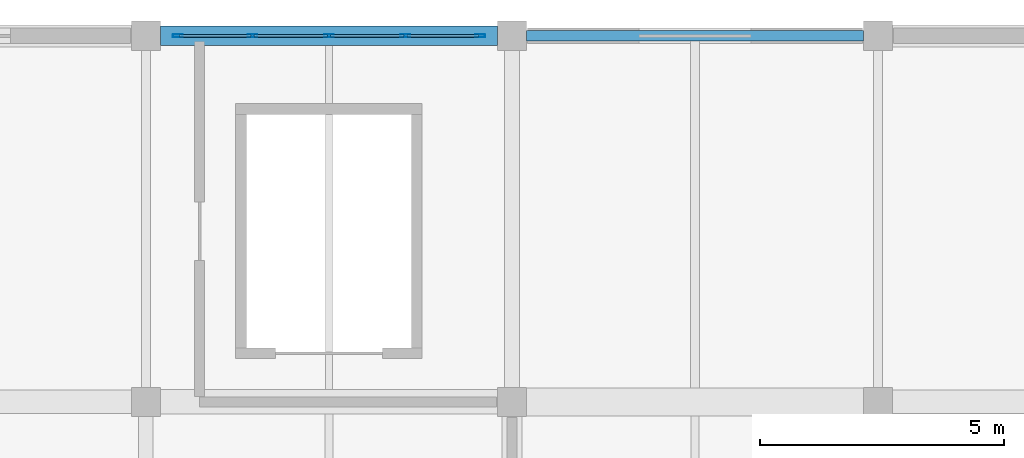
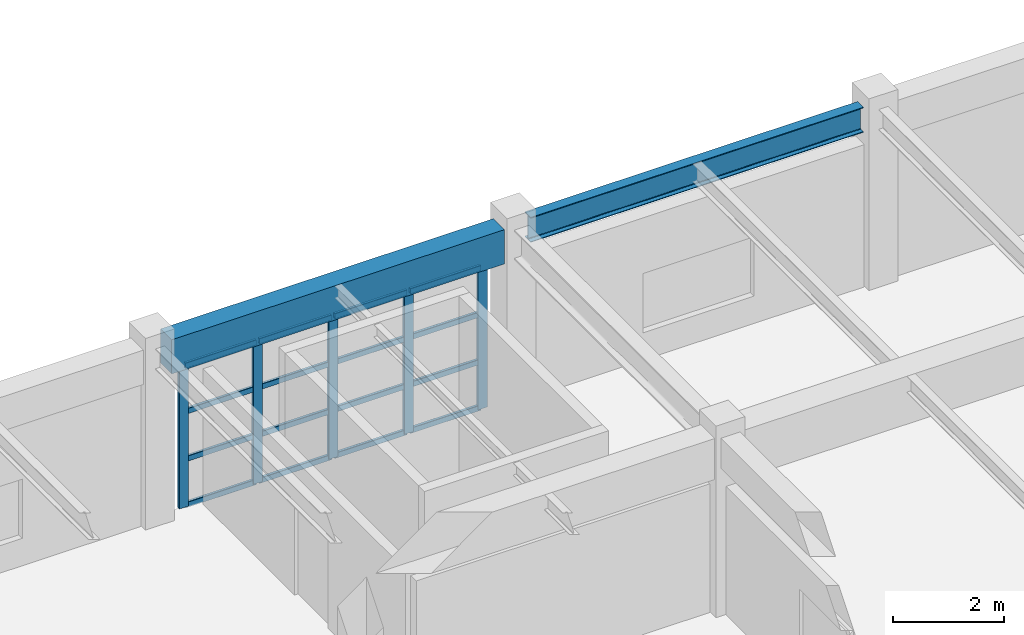
# One storey, part 73 of 124: 21 members, 2 beams, 1 element without a shape of its own.
"""IFC4 building model written with IfcOpenShell, lengths in metres."""

import ifcopenshell
import ifcopenshell.guid

model = None  # the IFC model being written
_history = None  # IfcOwnerHistory: only IFC2X3 demands one
_inside = {}  # id of a spatial element -> (the spatial element, [elements in it])
_under = {}  # id of a project, library or spatial element -> (it, [spatial elements below it])
_declared = {}  # id of a project -> (the project, [libraries it declares])
_typed = {}  # id of a type object -> (the type object, [elements of that type])
_made_of = {}  # id of a material, layer set ... -> (it, [elements and type objects made of it])


def new_model(schema):
    """Start an empty IFC model of exactly this schema.

    Asked for "IFC4X3", IfcOpenShell would pick the latest addendum, in which some entities
    have other attributes; the version numbers below select the first issue.
    IFC2X3 requires an IfcOwnerHistory on every rooted entity: one is made here for all.
    """
    global model, _history
    if schema == "IFC4X3":
        model = ifcopenshell.file(schema_version=(4, 3, 0, 0))
    else:
        model = ifcopenshell.file(schema=schema)
    _inside.clear()
    _under.clear()
    _declared.clear()
    _typed.clear()
    _made_of.clear()
    _history = None
    if model.schema == "IFC2X3":
        org = make("IfcOrganization", Name="unknown")
        user = make(
            "IfcPersonAndOrganization",
            ThePerson=make("IfcPerson", FamilyName="unknown"),
            TheOrganization=org,
        )
        app = make(
            "IfcApplication",
            ApplicationDeveloper=org,
            Version="unknown",
            ApplicationFullName="unknown",
            ApplicationIdentifier="unknown",
        )
        _history = make(
            "IfcOwnerHistory",
            OwningUser=user,
            OwningApplication=app,
            ChangeAction="ADDED",
            CreationDate=0,
        )
    return model


def make(cls, **values):
    """One entity of the class cls with the attributes given. An attribute that is None is left unset."""
    return model.create_entity(
        cls, **{name: value for name, value in values.items() if value is not None}
    )


def rooted(cls, **values):
    """An entity with a GlobalId (a new one), such as an element, a storey or a relation."""
    return make(cls, GlobalId=ifcopenshell.guid.new(), OwnerHistory=_history, **values)


def si_unit(unit_type, name, prefix=None):
    """IfcSIUnit, for example si_unit("LENGTHUNIT", "METRE", prefix="MILLI")."""
    return make("IfcSIUnit", UnitType=unit_type, Prefix=prefix, Name=name)


def assignment(units):
    """IfcUnitAssignment: the units of a project."""
    return None if units is None else make("IfcUnitAssignment", Units=units)


def point(xyz):
    """IfcCartesianPoint."""
    return None if xyz is None else make("IfcCartesianPoint", Coordinates=xyz)


def direction(xyz):
    """IfcDirection."""
    return None if xyz is None else make("IfcDirection", DirectionRatios=xyz)


def frame(location, z_axis=None, x_axis=None):
    """IfcAxis2Placement3D, a coordinate frame: its origin and axes. An axis left out is left unset."""
    return make(
        "IfcAxis2Placement3D",
        Location=point(location),
        Axis=direction(z_axis),
        RefDirection=direction(x_axis),
    )


def frame_2d(location, x_axis=None):
    """IfcAxis2Placement2D, a coordinate frame in the plane: its origin and x axis."""
    return make(
        "IfcAxis2Placement2D", Location=point(location), RefDirection=direction(x_axis)
    )


def origin():
    """The frame at (0, 0, 0) with its axes left unset."""
    return frame((0.0, 0.0, 0.0))


def origin_2d():
    """The frame at (0, 0) in the plane with its x axis left unset."""
    return frame_2d((0.0, 0.0))


def place(relative_to, where):
    """IfcLocalPlacement: puts the frame where relative to a parent placement (None: the world)."""
    return make(
        "IfcLocalPlacement", PlacementRelTo=relative_to, RelativePlacement=where
    )


def context(
    kind, dimensions, precision=None, world=None, true_north=None, identifier=None
):
    """IfcGeometricRepresentationContext, for example the 3D "Model" context."""
    return make(
        "IfcGeometricRepresentationContext",
        ContextIdentifier=identifier,
        ContextType=kind,
        CoordinateSpaceDimension=dimensions,
        Precision=precision,
        WorldCoordinateSystem=world,
        TrueNorth=true_north,
    )


def subcontext(parent, identifier, kind, view, scale=None):
    """IfcGeometricRepresentationSubContext, for example "Body" below "Model"."""
    return make(
        "IfcGeometricRepresentationSubContext",
        ContextIdentifier=identifier,
        ContextType=kind,
        ParentContext=parent,
        TargetScale=scale,
        TargetView=view,
    )


def project(units=None, contexts=None):
    """IfcProject with its units and contexts."""
    return rooted(
        "IfcProject",
        Name="project",
        RepresentationContexts=contexts,
        UnitsInContext=assignment(units),
    )


def spatial(cls, under=None, at=None, **own):
    """A site, building, storey or space (cls), placed at a placement, below another one or the project."""
    s = rooted(cls, ObjectPlacement=at, **own)
    if under is not None:
        _under.setdefault(under.id(), (under, []))[1].append(s)
    return s


def profile(cls, at=None, kind="AREA", **sizes):
    """A parametric profile (cls). Its sizes go by their IFC names, for example OverallWidth=200.0."""
    return make(cls, ProfileType=kind, Position=at, **sizes)


def rectangle(**sizes):
    """IfcRectangleProfileDef."""
    return profile("IfcRectangleProfileDef", **sizes)


def hollow_rectangle(**sizes):
    """IfcRectangleHollowProfileDef."""
    return profile("IfcRectangleHollowProfileDef", **sizes)


def i_section(**sizes):
    """IfcIShapeProfileDef."""
    return profile("IfcIShapeProfileDef", **sizes)


def extrude(swept, where, along, depth):
    """IfcExtrudedAreaSolid: the profile swept, set in the frame where, extruded along a direction by depth."""
    return make(
        "IfcExtrudedAreaSolid",
        SweptArea=swept,
        Position=where,
        ExtrudedDirection=direction(along),
        Depth=depth,
    )


def shape(context_of_items, identifier, shape_type, items):
    """IfcShapeRepresentation: the items that make up one representation, for example the "Body"."""
    return make(
        "IfcShapeRepresentation",
        ContextOfItems=context_of_items,
        RepresentationIdentifier=identifier,
        RepresentationType=shape_type,
        Items=items,
    )


def material(Name=None, Category=None):
    """IfcMaterial."""
    return make("IfcMaterial", Name=Name, Category=Category)


def material_profile(
    of_material, cross_section, Name=None, Category=None, Priority=None
):
    """IfcMaterialProfile: a cross section and its material."""
    return make(
        "IfcMaterialProfile",
        Name=Name,
        Material=of_material,
        Profile=cross_section,
        Priority=Priority,
        Category=Category,
    )


def profile_set(profiles, Name=None, composite=None):
    """IfcMaterialProfileSet."""
    return make(
        "IfcMaterialProfileSet",
        Name=Name,
        MaterialProfiles=profiles,
        CompositeProfile=composite,
    )


def made_of(thing, what):
    """Note that an element or type object is made of a material, layer set ...; save() writes the relation."""
    if what is not None:
        _made_of.setdefault(what.id(), (what, []))[1].append(thing)
    return thing


def type_object(cls, material=None, **own):
    """A type object (cls), such as IfcWallType, which elements share."""
    return made_of(rooted(cls, **own), material)


def element(
    cls,
    number,
    at=None,
    inside=None,
    cuts=None,
    type_object=None,
    material=None,
    context=None,
    identifier="Body",
    shape_type=None,
    held_by="IfcProductDefinitionShape",
    body=None,
    shapes=None,
    **own,
):
    """One element of the class cls, such as IfcWall. Its Tag is "e" and its number.

    at: its placement. inside: the storey or other place that contains it. cuts: it is an
    opening in that element (IfcRelVoidsElement). A single representation is given by context,
    identifier, shape_type and body (its items); several are given by shapes. held_by: the class
    of the entity that holds the representations. save() writes the other relations.
    """
    e = rooted(cls, Tag="e%d" % number, ObjectPlacement=at, **own)
    if body is not None:
        shapes = [shape(context, identifier, shape_type, body)]
    if shapes is not None:
        e.Representation = make(held_by, Representations=shapes)
    if inside is not None:
        _inside.setdefault(inside.id(), (inside, []))[1].append(e)
    if cuts is not None:
        rooted(
            "IfcRelVoidsElement", RelatingBuildingElement=cuts, RelatedOpeningElement=e
        )
    if type_object is not None:
        _typed.setdefault(type_object.id(), (type_object, []))[1].append(e)
    return made_of(e, material)


def aggregate(whole, parts):
    """IfcRelAggregates: a whole, such as a stair, and the parts it consists of."""
    return rooted("IfcRelAggregates", RelatingObject=whole, RelatedObjects=parts)


def save(model, path):
    """Write the relations noted so far, then the file.

    IfcRelAggregates (storeys below a building ...), IfcRelContainedInSpatialStructure (elements
    in a storey), IfcRelDefinesByType, IfcRelAssociatesMaterial and IfcRelDeclares: one each for
    every whole, place, type object, material and project.
    """
    for whole, parts in _under.values():
        aggregate(whole, parts)
    for where, things in _inside.values():
        rooted(
            "IfcRelContainedInSpatialStructure",
            RelatedElements=things,
            RelatingStructure=where,
        )
    for kind, things in _typed.values():
        rooted("IfcRelDefinesByType", RelatedObjects=things, RelatingType=kind)
    for what, things in _made_of.values():
        rooted("IfcRelAssociatesMaterial", RelatedObjects=things, RelatingMaterial=what)
    for by, libraries in _declared.values():
        rooted("IfcRelDeclares", RelatingContext=by, RelatedDefinitions=libraries)
    model.write(path)


model = new_model("IFC4")

# Units and contexts
model_context = context("Model", 3, precision=1e-05, world=origin(), true_north=direction((0.0, 1.0)))
body_context = subcontext(model_context, "Body", "Model", "MODEL_VIEW")
ifc_project = project(units=[si_unit("LENGTHUNIT", "METRE"), si_unit("AREAUNIT", "SQUARE_METRE"), si_unit("VOLUMEUNIT", "CUBIC_METRE"), si_unit("PLANEANGLEUNIT", "RADIAN"), si_unit("MASSUNIT", "GRAM", prefix="KILO")], contexts=[model_context])

# Site, building, storey
site_placement = place(None, origin())
site = spatial("IfcSite", under=ifc_project, at=site_placement, CompositionType="ELEMENT")
building_placement = place(site_placement, origin())
building = spatial("IfcBuilding", under=site, at=building_placement, Name="Qasida Concert Hall", CompositionType="ELEMENT")
storey_placement = place(building_placement, frame((0.0, 0.0, 9.0)))
storey = spatial("IfcBuildingStorey", under=building, at=storey_placement, Name="L02", CompositionType="ELEMENT", Elevation=9.0)

# Beams
ifc_material_1 = material(Name="Concrete C40/50", Category="concrete")
ifc_material_profile_1 = material_profile(ifc_material_1, rectangle(XDim=0.39990234375, YDim=0.75, at=origin_2d()), Name="RC 400x750")
ifc_profile_set_1 = profile_set([ifc_material_profile_1], Name="Concrete C40/50")
beam_type_1 = type_object("IfcBeamType", Name="BM-SP1", PredefinedType="SPANDREL", material=ifc_profile_set_1)
beam_1_placement = place(storey_placement, frame((142.800048828125, 112.5, 3.52490234375), z_axis=(1.0, 0.0, 0.0), x_axis=(0.0, 1.0, 0.0)))
element("IfcBeam", 1, at=beam_1_placement, inside=storey, type_object=beam_type_1, Name="Primary girder 1380", PredefinedType="SPANDREL", context=body_context, shape_type="SweptSolid", body=[
    extrude(rectangle(XDim=0.39990234375, YDim=0.75, at=origin_2d()), origin(), (0.0, 0.0, 1.0), 6.89990234375),
])
ifc_material_2 = material(Name="Steel S355J2", Category="steel")
ifc_material_profile_2 = material_profile(ifc_material_2, i_section(OverallWidth=0.2099609375, OverallDepth=0.550048828125, WebThickness=0.010986328125, FlangeThickness=0.01708984375, FilletRadius=0.02392578125, at=origin_2d()), Name="IPE 550")
ifc_profile_set_2 = profile_set([ifc_material_profile_2], Name="Steel S355J2")
beam_type_2 = type_object("IfcBeamType", Name="BM-SP2", PredefinedType="SPANDREL", material=ifc_profile_set_2)
beam_2_placement = place(storey_placement, frame((150.300048828125, 112.5, 3.625), z_axis=(1.0, 0.0, 0.0), x_axis=(0.0, 1.0, 0.0)))
element("IfcBeam", 2, at=beam_2_placement, inside=storey, type_object=beam_type_2, Name="Primary girder 1381", PredefinedType="SPANDREL", context=body_context, shape_type="SweptSolid", body=[
    extrude(i_section(OverallWidth=0.2099609375, OverallDepth=0.550048828125, WebThickness=0.010986328125, FlangeThickness=0.01708984375, FilletRadius=0.02392578125, at=origin_2d()), origin(), (0.0, 0.0, 1.0), 6.89990234375),
])

# Curtain wall, members
ifc_material_3 = material(Name="Architectural bronze-anodized aluminium and low-E glass", Category="aluminium")
curtain_wall_type = type_object("IfcCurtainWallType", Name="CW-04", PredefinedType="NOTDEFINED", material=ifc_material_3)
curtain_wall_placement = place(storey_placement, origin())
curtain_wall = element("IfcCurtainWall", 3, at=curtain_wall_placement, inside=storey, type_object=curtain_wall_type, Name="L02 curtain wall CW-04 0172", PredefinedType="NOTDEFINED")
ifc_material_4 = material(Name="Architectural bronze-anodized aluminium EN AW-6063", Category="aluminium")
ifc_material_profile_3 = material_profile(ifc_material_4, hollow_rectangle(XDim=0.06494140625, YDim=0.199951171875, WallThickness=0.0048828125, InnerFilletRadius=0.0048828125, OuterFilletRadius=0.010009765625, at=origin_2d()), Name="CWM 200x65x5")
ifc_profile_set_3 = profile_set([ifc_material_profile_3], Name="Architectural bronze-anodized aluminium EN AW-6063")
member_type_1 = type_object("IfcMemberType", Name="MB-CWM-2", PredefinedType="MULLION", material=ifc_profile_set_3)
member_1_placement = place(storey_placement, frame((143.152587890625, 112.5, 0.0), z_axis=(0.0, 0.0, 1.0), x_axis=(0.0, 1.0, 0.0)))
member_1 = element("IfcMember", 4, at=member_1_placement, type_object=member_type_1, Name="CW-04 mullion 1", PredefinedType="MULLION", context=body_context, shape_type="SweptSolid", body=[
    extrude(hollow_rectangle(XDim=0.06494140625, YDim=0.199951171875, WallThickness=0.0048828125, InnerFilletRadius=0.0048828125, OuterFilletRadius=0.010009765625, at=origin_2d()), origin(), (0.0, 0.0, 1.0), 3.1201171875),
])
member_2_placement = place(storey_placement, frame((144.68505859375, 112.5, 0.0), z_axis=(0.0, 0.0, 1.0), x_axis=(0.0, 1.0, 0.0)))
member_2 = element("IfcMember", 5, at=member_2_placement, type_object=member_type_1, Name="CW-04 mullion 2", PredefinedType="MULLION", context=body_context, shape_type="SweptSolid", body=[
    extrude(hollow_rectangle(XDim=0.06494140625, YDim=0.199951171875, WallThickness=0.0048828125, InnerFilletRadius=0.0048828125, OuterFilletRadius=0.010009765625, at=origin_2d()), origin(), (0.0, 0.0, 1.0), 3.1201171875),
])
member_3_placement = place(storey_placement, frame((146.25, 112.5, 0.0), z_axis=(0.0, 0.0, 1.0), x_axis=(0.0, 1.0, 0.0)))
member_3 = element("IfcMember", 6, at=member_3_placement, type_object=member_type_1, Name="CW-04 mullion 3", PredefinedType="MULLION", context=body_context, shape_type="SweptSolid", body=[
    extrude(hollow_rectangle(XDim=0.06494140625, YDim=0.199951171875, WallThickness=0.0048828125, InnerFilletRadius=0.0048828125, OuterFilletRadius=0.010009765625, at=origin_2d()), origin(), (0.0, 0.0, 1.0), 3.1201171875),
])
member_4_placement = place(storey_placement, frame((147.81494140625, 112.5, 0.0), z_axis=(0.0, 0.0, 1.0), x_axis=(0.0, 1.0, 0.0)))
member_4 = element("IfcMember", 7, at=member_4_placement, type_object=member_type_1, Name="CW-04 mullion 4", PredefinedType="MULLION", context=body_context, shape_type="SweptSolid", body=[
    extrude(hollow_rectangle(XDim=0.06494140625, YDim=0.199951171875, WallThickness=0.0048828125, InnerFilletRadius=0.0048828125, OuterFilletRadius=0.010009765625, at=origin_2d()), origin(), (0.0, 0.0, 1.0), 3.1201171875),
])
member_5_placement = place(storey_placement, frame((149.347412109375, 112.5, 0.0), z_axis=(0.0, 0.0, 1.0), x_axis=(0.0, 1.0, 0.0)))
member_5 = element("IfcMember", 8, at=member_5_placement, type_object=member_type_1, Name="CW-04 mullion 5", PredefinedType="MULLION", context=body_context, shape_type="SweptSolid", body=[
    extrude(hollow_rectangle(XDim=0.06494140625, YDim=0.199951171875, WallThickness=0.0048828125, InnerFilletRadius=0.0048828125, OuterFilletRadius=0.010009765625, at=origin_2d()), origin(), (0.0, 0.0, 1.0), 3.1201171875),
])
ifc_material_profile_4 = material_profile(ifc_material_4, hollow_rectangle(XDim=0.06005859375, YDim=0.1201171875, WallThickness=0.00390625, InnerFilletRadius=0.00390625, OuterFilletRadius=0.008056640625, at=origin_2d()), Name="CWT 120x60x4")
ifc_profile_set_4 = profile_set([ifc_material_profile_4], Name="Architectural bronze-anodized aluminium EN AW-6063")
member_type_2 = type_object("IfcMemberType", Name="MB-CWT-2", PredefinedType="USERDEFINED", material=ifc_profile_set_4)
member_6_placement = place(storey_placement, frame((143.18505859375, 112.5, 0.030029296875), z_axis=(1.0, 0.0, 0.0), x_axis=(0.0, 1.0, 0.0)))
member_6 = element("IfcMember", 9, at=member_6_placement, type_object=member_type_2, Name="CW-04 transom 1.1", ObjectType="TRANSOM", PredefinedType="USERDEFINED", context=body_context, shape_type="SweptSolid", body=[
    extrude(hollow_rectangle(XDim=0.06005859375, YDim=0.1201171875, WallThickness=0.00390625, InnerFilletRadius=0.00390625, OuterFilletRadius=0.008056640625, at=origin_2d()), origin(), (0.0, 0.0, 1.0), 1.467529296875),
])
member_7_placement = place(storey_placement, frame((143.18505859375, 112.5, 1.0400390625), z_axis=(1.0, 0.0, 0.0), x_axis=(0.0, 1.0, 0.0)))
member_7 = element("IfcMember", 10, at=member_7_placement, type_object=member_type_2, Name="CW-04 transom 1.2", ObjectType="TRANSOM", PredefinedType="USERDEFINED", context=body_context, shape_type="SweptSolid", body=[
    extrude(hollow_rectangle(XDim=0.06005859375, YDim=0.1201171875, WallThickness=0.00390625, InnerFilletRadius=0.00390625, OuterFilletRadius=0.008056640625, at=origin_2d()), origin(), (0.0, 0.0, 1.0), 1.467529296875),
])
member_8_placement = place(storey_placement, frame((143.18505859375, 112.5, 2.080078125), z_axis=(1.0, 0.0, 0.0), x_axis=(0.0, 1.0, 0.0)))
member_8 = element("IfcMember", 11, at=member_8_placement, type_object=member_type_2, Name="CW-04 transom 1.3", ObjectType="TRANSOM", PredefinedType="USERDEFINED", context=body_context, shape_type="SweptSolid", body=[
    extrude(hollow_rectangle(XDim=0.06005859375, YDim=0.1201171875, WallThickness=0.00390625, InnerFilletRadius=0.00390625, OuterFilletRadius=0.008056640625, at=origin_2d()), origin(), (0.0, 0.0, 1.0), 1.467529296875),
])
member_9_placement = place(storey_placement, frame((143.18505859375, 112.5, 3.090087890625), z_axis=(1.0, 0.0, 0.0), x_axis=(0.0, 1.0, 0.0)))
member_9 = element("IfcMember", 12, at=member_9_placement, type_object=member_type_2, Name="CW-04 transom 1.4", ObjectType="TRANSOM", PredefinedType="USERDEFINED", context=body_context, shape_type="SweptSolid", body=[
    extrude(hollow_rectangle(XDim=0.06005859375, YDim=0.1201171875, WallThickness=0.00390625, InnerFilletRadius=0.00390625, OuterFilletRadius=0.008056640625, at=origin_2d()), origin(), (0.0, 0.0, 1.0), 1.467529296875),
])
member_10_placement = place(storey_placement, frame((144.717529296875, 112.5, 0.030029296875), z_axis=(1.0, 0.0, 0.0), x_axis=(0.0, 1.0, 0.0)))
member_10 = element("IfcMember", 13, at=member_10_placement, type_object=member_type_2, Name="CW-04 transom 2.1", ObjectType="TRANSOM", PredefinedType="USERDEFINED", context=body_context, shape_type="SweptSolid", body=[
    extrude(hollow_rectangle(XDim=0.06005859375, YDim=0.1201171875, WallThickness=0.00390625, InnerFilletRadius=0.00390625, OuterFilletRadius=0.008056640625, at=origin_2d()), origin(), (0.0, 0.0, 1.0), 1.5),
])
member_11_placement = place(storey_placement, frame((144.717529296875, 112.5, 1.0400390625), z_axis=(1.0, 0.0, 0.0), x_axis=(0.0, 1.0, 0.0)))
member_11 = element("IfcMember", 14, at=member_11_placement, type_object=member_type_2, Name="CW-04 transom 2.2", ObjectType="TRANSOM", PredefinedType="USERDEFINED", context=body_context, shape_type="SweptSolid", body=[
    extrude(hollow_rectangle(XDim=0.06005859375, YDim=0.1201171875, WallThickness=0.00390625, InnerFilletRadius=0.00390625, OuterFilletRadius=0.008056640625, at=origin_2d()), origin(), (0.0, 0.0, 1.0), 1.5),
])
member_12_placement = place(storey_placement, frame((144.717529296875, 112.5, 2.080078125), z_axis=(1.0, 0.0, 0.0), x_axis=(0.0, 1.0, 0.0)))
member_12 = element("IfcMember", 15, at=member_12_placement, type_object=member_type_2, Name="CW-04 transom 2.3", ObjectType="TRANSOM", PredefinedType="USERDEFINED", context=body_context, shape_type="SweptSolid", body=[
    extrude(hollow_rectangle(XDim=0.06005859375, YDim=0.1201171875, WallThickness=0.00390625, InnerFilletRadius=0.00390625, OuterFilletRadius=0.008056640625, at=origin_2d()), origin(), (0.0, 0.0, 1.0), 1.5),
])
member_13_placement = place(storey_placement, frame((144.717529296875, 112.5, 3.090087890625), z_axis=(1.0, 0.0, 0.0), x_axis=(0.0, 1.0, 0.0)))
member_13 = element("IfcMember", 16, at=member_13_placement, type_object=member_type_2, Name="CW-04 transom 2.4", ObjectType="TRANSOM", PredefinedType="USERDEFINED", context=body_context, shape_type="SweptSolid", body=[
    extrude(hollow_rectangle(XDim=0.06005859375, YDim=0.1201171875, WallThickness=0.00390625, InnerFilletRadius=0.00390625, OuterFilletRadius=0.008056640625, at=origin_2d()), origin(), (0.0, 0.0, 1.0), 1.5),
])
member_14_placement = place(storey_placement, frame((146.282470703125, 112.5, 0.030029296875), z_axis=(1.0, 0.0, 0.0), x_axis=(0.0, 1.0, 0.0)))
member_14 = element("IfcMember", 17, at=member_14_placement, type_object=member_type_2, Name="CW-04 transom 3.1", ObjectType="TRANSOM", PredefinedType="USERDEFINED", context=body_context, shape_type="SweptSolid", body=[
    extrude(hollow_rectangle(XDim=0.06005859375, YDim=0.1201171875, WallThickness=0.00390625, InnerFilletRadius=0.00390625, OuterFilletRadius=0.008056640625, at=origin_2d()), origin(), (0.0, 0.0, 1.0), 1.5),
])
member_15_placement = place(storey_placement, frame((146.282470703125, 112.5, 1.0400390625), z_axis=(1.0, 0.0, 0.0), x_axis=(0.0, 1.0, 0.0)))
member_15 = element("IfcMember", 18, at=member_15_placement, type_object=member_type_2, Name="CW-04 transom 3.2", ObjectType="TRANSOM", PredefinedType="USERDEFINED", context=body_context, shape_type="SweptSolid", body=[
    extrude(hollow_rectangle(XDim=0.06005859375, YDim=0.1201171875, WallThickness=0.00390625, InnerFilletRadius=0.00390625, OuterFilletRadius=0.008056640625, at=origin_2d()), origin(), (0.0, 0.0, 1.0), 1.5),
])
member_16_placement = place(storey_placement, frame((146.282470703125, 112.5, 2.080078125), z_axis=(1.0, 0.0, 0.0), x_axis=(0.0, 1.0, 0.0)))
member_16 = element("IfcMember", 19, at=member_16_placement, type_object=member_type_2, Name="CW-04 transom 3.3", ObjectType="TRANSOM", PredefinedType="USERDEFINED", context=body_context, shape_type="SweptSolid", body=[
    extrude(hollow_rectangle(XDim=0.06005859375, YDim=0.1201171875, WallThickness=0.00390625, InnerFilletRadius=0.00390625, OuterFilletRadius=0.008056640625, at=origin_2d()), origin(), (0.0, 0.0, 1.0), 1.5),
])
member_17_placement = place(storey_placement, frame((146.282470703125, 112.5, 3.090087890625), z_axis=(1.0, 0.0, 0.0), x_axis=(0.0, 1.0, 0.0)))
member_17 = element("IfcMember", 20, at=member_17_placement, type_object=member_type_2, Name="CW-04 transom 3.4", ObjectType="TRANSOM", PredefinedType="USERDEFINED", context=body_context, shape_type="SweptSolid", body=[
    extrude(hollow_rectangle(XDim=0.06005859375, YDim=0.1201171875, WallThickness=0.00390625, InnerFilletRadius=0.00390625, OuterFilletRadius=0.008056640625, at=origin_2d()), origin(), (0.0, 0.0, 1.0), 1.5),
])
member_18_placement = place(storey_placement, frame((147.847412109375, 112.5, 0.030029296875), z_axis=(1.0, 0.0, 0.0), x_axis=(0.0, 1.0, 0.0)))
member_18 = element("IfcMember", 21, at=member_18_placement, type_object=member_type_2, Name="CW-04 transom 4.1", ObjectType="TRANSOM", PredefinedType="USERDEFINED", context=body_context, shape_type="SweptSolid", body=[
    extrude(hollow_rectangle(XDim=0.06005859375, YDim=0.1201171875, WallThickness=0.00390625, InnerFilletRadius=0.00390625, OuterFilletRadius=0.008056640625, at=origin_2d()), origin(), (0.0, 0.0, 1.0), 1.467529296875),
])
member_19_placement = place(storey_placement, frame((147.847412109375, 112.5, 1.0400390625), z_axis=(1.0, 0.0, 0.0), x_axis=(0.0, 1.0, 0.0)))
member_19 = element("IfcMember", 22, at=member_19_placement, type_object=member_type_2, Name="CW-04 transom 4.2", ObjectType="TRANSOM", PredefinedType="USERDEFINED", context=body_context, shape_type="SweptSolid", body=[
    extrude(hollow_rectangle(XDim=0.06005859375, YDim=0.1201171875, WallThickness=0.00390625, InnerFilletRadius=0.00390625, OuterFilletRadius=0.008056640625, at=origin_2d()), origin(), (0.0, 0.0, 1.0), 1.467529296875),
])
member_20_placement = place(storey_placement, frame((147.847412109375, 112.5, 2.080078125), z_axis=(1.0, 0.0, 0.0), x_axis=(0.0, 1.0, 0.0)))
member_20 = element("IfcMember", 23, at=member_20_placement, type_object=member_type_2, Name="CW-04 transom 4.3", ObjectType="TRANSOM", PredefinedType="USERDEFINED", context=body_context, shape_type="SweptSolid", body=[
    extrude(hollow_rectangle(XDim=0.06005859375, YDim=0.1201171875, WallThickness=0.00390625, InnerFilletRadius=0.00390625, OuterFilletRadius=0.008056640625, at=origin_2d()), origin(), (0.0, 0.0, 1.0), 1.467529296875),
])
member_21_placement = place(storey_placement, frame((147.847412109375, 112.5, 3.090087890625), z_axis=(1.0, 0.0, 0.0), x_axis=(0.0, 1.0, 0.0)))
member_21 = element("IfcMember", 24, at=member_21_placement, type_object=member_type_2, Name="CW-04 transom 4.4", ObjectType="TRANSOM", PredefinedType="USERDEFINED", context=body_context, shape_type="SweptSolid", body=[
    extrude(hollow_rectangle(XDim=0.06005859375, YDim=0.1201171875, WallThickness=0.00390625, InnerFilletRadius=0.00390625, OuterFilletRadius=0.008056640625, at=origin_2d()), origin(), (0.0, 0.0, 1.0), 1.467529296875),
])
aggregate(curtain_wall, [member_1, member_2, member_3, member_4, member_5, member_6, member_7, member_8, member_9, member_10, member_11, member_12, member_13, member_14, member_15, member_16, member_17, member_18, member_19, member_20, member_21])

save(model, "model.ifc")
